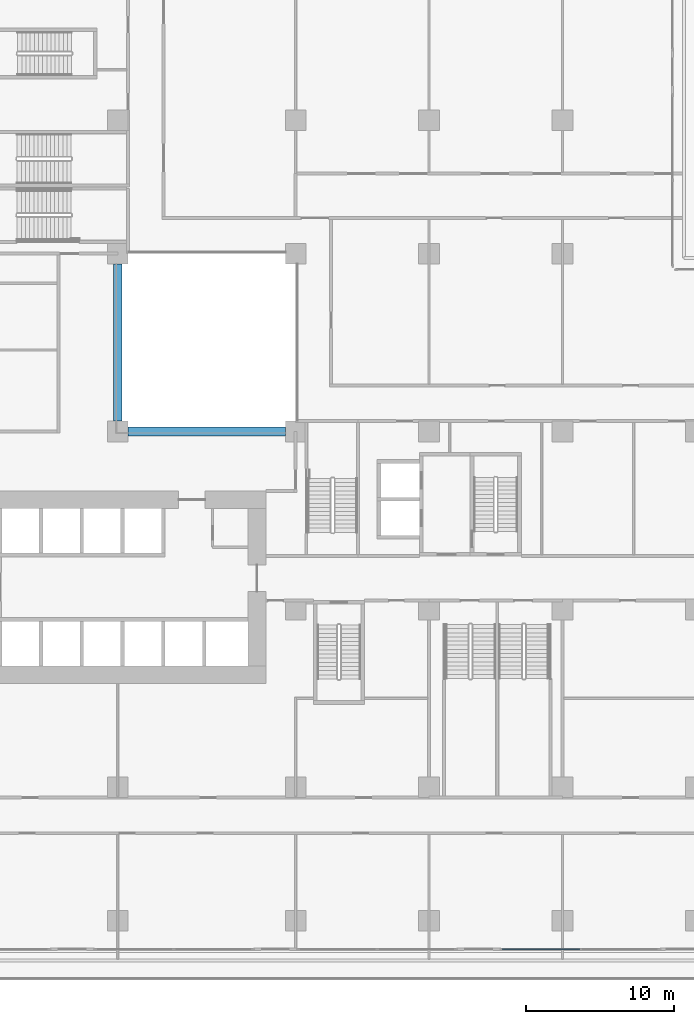
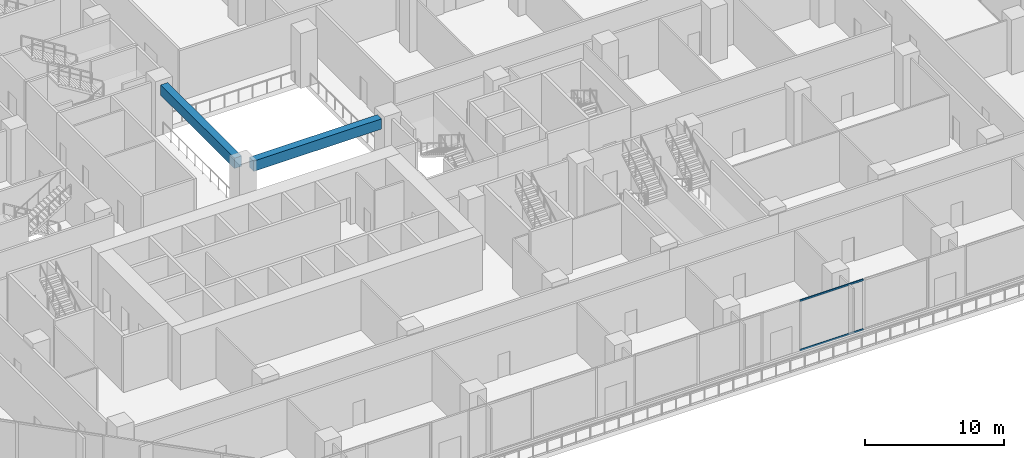
# One storey, part 6 of 31: 2 beams, 2 members, 1 element without a shape of its own.
"""IFC4 building model written with IfcOpenShell, lengths in metres."""

from ifc_helpers import new_model, si_unit, direction, frame, origin, origin_2d, place, context, subcontext, project, spatial, rectangle, extrude, material, layer, layer_set, material_profile, profile_set, type_object, element, aggregate, save


model = new_model("IFC4")

# Units and contexts
model_context = context("Model", 3, precision=1e-05, world=origin(), true_north=direction((0.0, 1.0)))
body_context = subcontext(model_context, "Body", "Model", "MODEL_VIEW")
ifc_project = project(units=[si_unit("LENGTHUNIT", "METRE"), si_unit("AREAUNIT", "SQUARE_METRE"), si_unit("VOLUMEUNIT", "CUBIC_METRE"), si_unit("PLANEANGLEUNIT", "RADIAN"), si_unit("MASSUNIT", "GRAM", prefix="KILO")], contexts=[model_context])

# Site, building, storey
site_placement = place(None, origin())
site = spatial("IfcSite", under=ifc_project, at=site_placement, CompositionType="ELEMENT")
building_placement = place(site_placement, origin())
building = spatial("IfcBuilding", under=site, at=building_placement, Name="Chenar Terraces", CompositionType="ELEMENT")
storey_placement = place(building_placement, frame((0.0, 0.0, 12.0)))
storey = spatial("IfcBuildingStorey", under=building, at=storey_placement, Name="L02", CompositionType="ELEMENT", Elevation=12.0)

# Beams
ifc_material_1 = material(Name="Concrete C40/50", Category="concrete")
ifc_material_profile_1 = material_profile(ifc_material_1, rectangle(XDim=0.60009765625, YDim=0.89990234375, at=origin_2d()), Name="RC 600 x 900")
ifc_profile_set_1 = profile_set([ifc_material_profile_1], Name="Concrete C40/50")
beam_type = type_object("IfcBeamType", Name="Atrium edge beam 600 x 900 Concrete C40/50", PredefinedType="BEAM", material=ifc_profile_set_1)
for number, where, z_axis, x_axis, name in (
    (1, (24.699951171875, 24.0, 3.949951171875), (1.0, 0.0, 0.0), (0.0, 1.0, 0.0), "Atrium edge beam L03 1"),
    (2, (24.0, 35.300048828125, 3.949951171875), (0.0, -1.0, 0.0), (1.0, 0.0, 0.0), "Atrium edge beam L03 4"),
):
    element("IfcBeam", number, at=place(storey_placement, frame(where, z_axis=z_axis, x_axis=x_axis)), inside=storey, type_object=beam_type, Name=name, PredefinedType="BEAM", context=body_context, shape_type="SweptSolid", body=[
        extrude(rectangle(XDim=0.60009765625, YDim=0.89990234375, at=origin_2d()), origin(), (0.0, 0.0, 1.0), 10.60009765625),
    ])

# Curtain wall, members
ifc_material_2 = material(Name="Aluminium framed glazing", Category="aluminium")
ifc_layer = layer(ifc_material_2, 0.14990234375)
ifc_layer_set = layer_set([ifc_layer], Name="Aluminium framed glazing")
curtain_wall_type = type_object("IfcCurtainWallType", Name="School curtain wall", PredefinedType="NOTDEFINED", material=ifc_layer_set)
curtain_wall_placement = place(storey_placement, origin())
curtain_wall = element("IfcCurtainWall", 3, at=curtain_wall_placement, inside=storey, type_object=curtain_wall_type, Name="School curtain wall", PredefinedType="NOTDEFINED")
ifc_material_3 = material(Name="Aluminium", Category="aluminium")
ifc_material_profile_2 = material_profile(ifc_material_3, rectangle(XDim=0.070068359375, YDim=0.14990234375, at=origin_2d()), Name="School glazing transom 70 x 150")
ifc_profile_set_2 = profile_set([ifc_material_profile_2], Name="Aluminium")
member_type = type_object("IfcMemberType", Name="School glazing transom 70 x 150", PredefinedType="USERDEFINED", material=ifc_profile_set_2)
member_1_placement = place(storey_placement, frame((49.939453125, -10.925048828125, 0.034912109375), z_axis=(1.0, 0.0, 0.0), x_axis=(0.0, 1.0, 0.0)))
member_1 = element("IfcMember", 4, at=member_1_placement, type_object=member_type, Name="CW2-07c3 transom 1.1", ObjectType="TRANSOM", PredefinedType="USERDEFINED", context=body_context, shape_type="SweptSolid", body=[
    extrude(rectangle(XDim=0.070068359375, YDim=0.14990234375, at=origin_2d()), origin(), (0.0, 0.0, 1.0), 5.239501953125),
])
member_2_placement = place(storey_placement, frame((49.939453125, -10.925048828125, 4.364990234375), z_axis=(1.0, 0.0, 0.0), x_axis=(0.0, 1.0, 0.0)))
member_2 = element("IfcMember", 5, at=member_2_placement, type_object=member_type, Name="CW2-07c3 transom 1.2", ObjectType="TRANSOM", PredefinedType="USERDEFINED", context=body_context, shape_type="SweptSolid", body=[
    extrude(rectangle(XDim=0.070068359375, YDim=0.14990234375, at=origin_2d()), origin(), (0.0, 0.0, 1.0), 5.239501953125),
])
aggregate(curtain_wall, [member_1, member_2])

save(model, "model.ifc")
